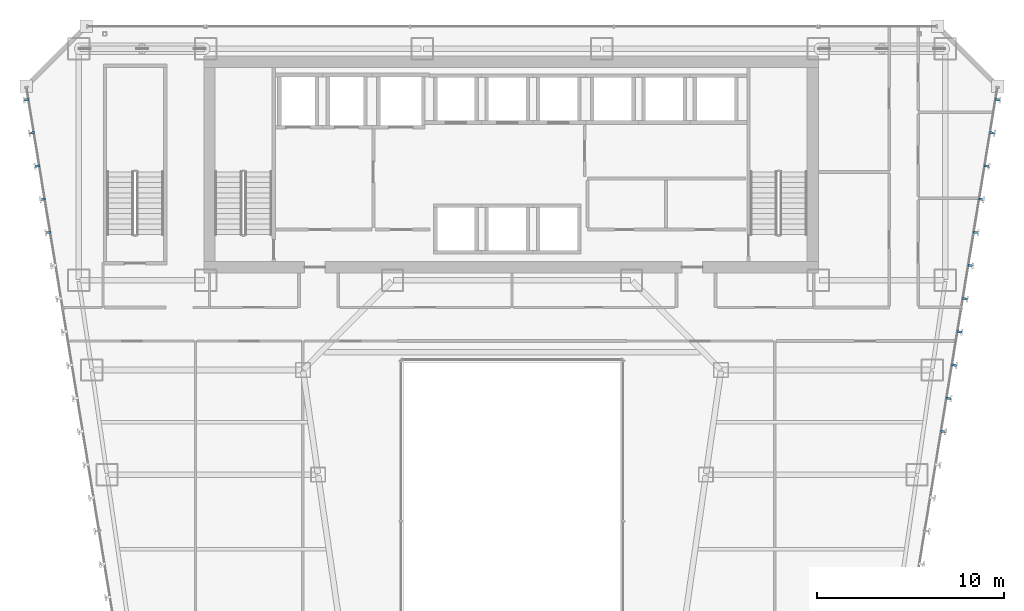
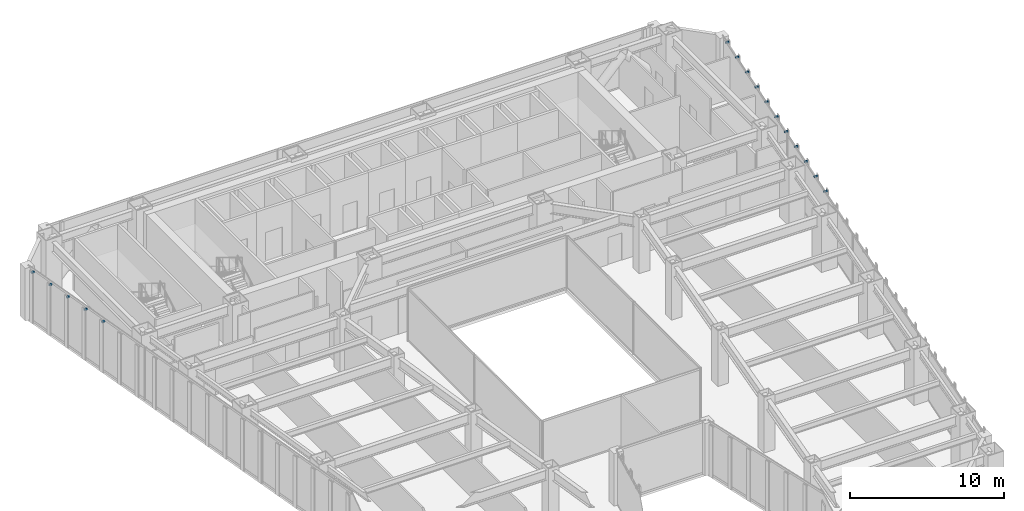
# One storey, part 40 of 47: 16 discrete accessories.
"""IFC4 building model written with IfcOpenShell, lengths in metres."""

from ifc_helpers import new_model, si_unit, direction, frame, origin, origin_2d, place, context, subcontext, project, spatial, rectangle, extrude, material, layer, layer_set, type_object, element, save


model = new_model("IFC4")

# Units and contexts
model_context = context("Model", 3, precision=1e-05, world=origin(), true_north=direction((0.0, 1.0)))
body_context = subcontext(model_context, "Body", "Model", "MODEL_VIEW")
ifc_project = project(units=[si_unit("LENGTHUNIT", "METRE"), si_unit("AREAUNIT", "SQUARE_METRE"), si_unit("VOLUMEUNIT", "CUBIC_METRE"), si_unit("PLANEANGLEUNIT", "RADIAN"), si_unit("MASSUNIT", "GRAM", prefix="KILO")], contexts=[model_context])

# Site, building, storey
site_placement = place(None, origin())
site = spatial("IfcSite", under=ifc_project, at=site_placement, CompositionType="ELEMENT")
building_placement = place(site_placement, origin())
building = spatial("IfcBuilding", under=site, at=building_placement, Name="Saevonmaru Cultural Tower", CompositionType="ELEMENT")
storey_placement = place(building_placement, frame((0.0, 0.0, 51.60009765625)))
storey = spatial("IfcBuildingStorey", under=building, at=storey_placement, Name="L10", CompositionType="ELEMENT", Elevation=51.60009765625)

# Discrete accessories
ifc_material = material(Name="Stainless Steel 316", Category="steel")
ifc_layer = layer(ifc_material, 0.1201171875, Name="Stainless Steel 316")
ifc_layer_set = layer_set([ifc_layer], Name="Stainless Steel 316")
discrete_accessory_type = type_object("IfcDiscreteAccessoryType", Name="ACC-FIN-BRKT", PredefinedType="BRACKET", material=ifc_layer_set)
for number, where, z_axis, x_axis, name in (
    (1, (53.081787109375, 34.31103515625, 3.929931640625), (0.0, 0.0, 1.0), (0.986827496189, -0.161776057456, 0.0), "L10 Bronze Fin Bracket E8-17"),
    (2, (53.372802734375, 36.08740234375, 3.929931640625), (0.0, 0.0, 1.0), (0.986827496189, -0.161776057456, 0.0), "L10 Bronze Fin Bracket E8-18"),
    (3, (53.663818359375, 37.86376953125, 3.929931640625), (0.0, 0.0, 1.0), (0.986827496189, -0.161776057456, 0.0), "L10 Bronze Fin Bracket E8-19"),
    (4, (53.955078125, 39.64013671875, 3.929931640625), (0.0, 0.0, 1.0), (0.986827496189, -0.161776057456, 0.0), "L10 Bronze Fin Bracket E8-20"),
    (5, (54.24609375, 41.41650390625, 3.929931640625), (0.0, 0.0, 1.0), (0.986827496189, -0.161776057456, 0.0), "L10 Bronze Fin Bracket E8-21"),
    (6, (54.537109375, 43.192626953125, 3.929931640625), (0.0, 0.0, 1.0), (0.986827496189, -0.161776057456, 0.0), "L10 Bronze Fin Bracket E8-22"),
    (7, (54.828125, 44.968994140625, 3.929931640625), (0.0, 0.0, 1.0), (0.986827496189, -0.161776057456, 0.0), "L10 Bronze Fin Bracket E8-23"),
    (8, (55.119384765625, 46.745361328125, 3.929931640625), (0.0, 0.0, 1.0), (0.986827496189, -0.161776057456, 0.0), "L10 Bronze Fin Bracket E8-24"),
    (9, (55.410400390625, 48.521484375, 3.929931640625), (0.0, 0.0, 1.0), (0.986827496189, -0.161776057456, 0.0), "L10 Bronze Fin Bracket E8-25"),
    (10, (55.701416015625, 50.2978515625, 3.929931640625), (0.0, 0.0, 1.0), (0.986827496189, -0.161776057456, 0.0), "L10 Bronze Fin Bracket E8-26"),
    (11, (55.992431640625, 52.07421875, 3.929931640625), (0.0, 0.0, 1.0), (0.986827496189, -0.161776057456, 0.0), "L10 Bronze Fin Bracket E8-27"),
    (12, (4.007568359375, 52.07421875, 3.929931640625), (0.0, 0.0, 1.0), (-0.986827496189, -0.161776057456, 0.0), "L10 Bronze Fin Bracket E12-01"),
    (13, (4.298583984375, 50.2978515625, 3.929931640625), (0.0, 0.0, 1.0), (-0.986827496189, -0.161776057456, 0.0), "L10 Bronze Fin Bracket E12-02"),
    (14, (4.589599609375, 48.521484375, 3.929931640625), (0.0, 0.0, 1.0), (-0.986827496189, -0.161776057456, 0.0), "L10 Bronze Fin Bracket E12-03"),
    (15, (4.880615234375, 46.745361328125, 3.929931640625), (0.0, 0.0, 1.0), (-0.986827496189, -0.161776057456, 0.0), "L10 Bronze Fin Bracket E12-04"),
    (16, (5.171875, 44.968994140625, 3.929931640625), (0.0, 0.0, 1.0), (-0.986827496189, -0.161776057456, 0.0), "L10 Bronze Fin Bracket E12-05"),
):
    element("IfcDiscreteAccessory", number, at=place(storey_placement, frame(where, z_axis=z_axis, x_axis=x_axis)), inside=storey, type_object=discrete_accessory_type, Name=name, PredefinedType="BRACKET", context=body_context, shape_type="SweptSolid", body=[
        extrude(rectangle(XDim=0.260009765625, YDim=0.1201171875, at=origin_2d()), origin(), (0.0, 0.0, 1.0), 0.1201171875),
    ])

save(model, "model.ifc")
